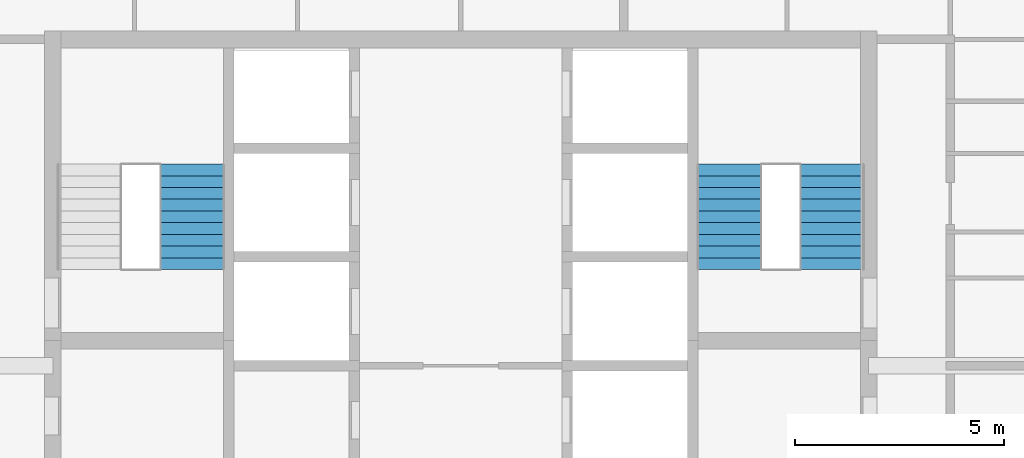
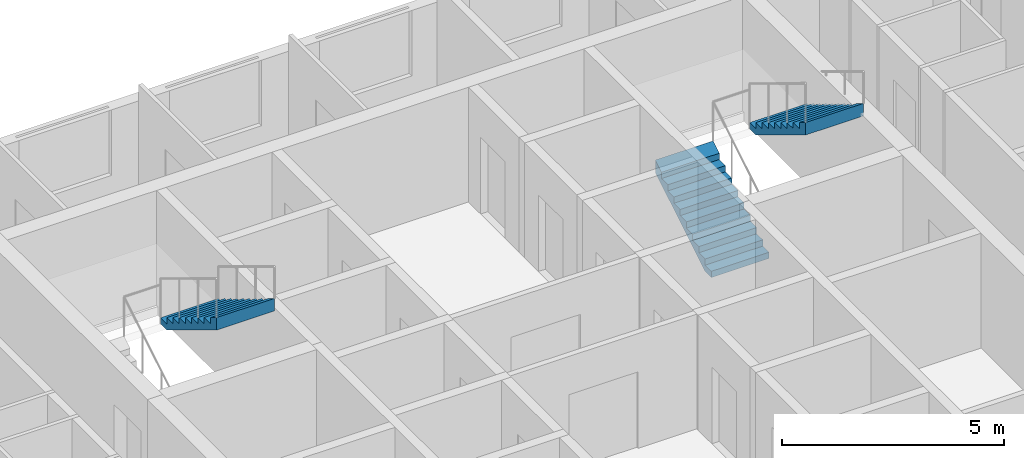
# One storey, part 14 of 16: 3 stair flights, 2 elements without a shape of their own.
"""IFC4 building model written with IfcOpenShell, lengths in metres."""

from ifc_helpers import new_model, si_unit, direction, frame, origin, place, context, subcontext, project, spatial, triangles, material, type_object, element, aggregate, save


model = new_model("IFC4")

# Units and contexts
model_context = context("Model", 3, precision=1e-05, world=origin(), true_north=direction((0.0, 1.0)))
body_context = subcontext(model_context, "Body", "Model", "MODEL_VIEW")
ifc_project = project(units=[si_unit("LENGTHUNIT", "METRE"), si_unit("AREAUNIT", "SQUARE_METRE"), si_unit("VOLUMEUNIT", "CUBIC_METRE"), si_unit("PLANEANGLEUNIT", "RADIAN"), si_unit("MASSUNIT", "GRAM", prefix="KILO")], contexts=[model_context])

# Site, building, storey
site_placement = place(None, origin())
site = spatial("IfcSite", under=ifc_project, at=site_placement, CompositionType="ELEMENT")
building_placement = place(site_placement, origin())
building = spatial("IfcBuilding", under=site, at=building_placement, Name="Ludao Terraces", CompositionType="ELEMENT")
storey_placement = place(building_placement, frame((0.0, 0.0, 217.699951171875)))
storey = spatial("IfcBuildingStorey", under=building, at=storey_placement, Name="L59", CompositionType="ELEMENT", Elevation=217.699951171875)

# Stair, stair flight
ifc_material = material(Name="Concrete C40", Category="concrete")
stair_type = type_object("IfcStairType", Name="INT Stair", PredefinedType="HALF_TURN_STAIR", material=ifc_material)
stair_1_placement = place(storey_placement, origin())
stair_1 = element("IfcStair", 1, at=stair_1_placement, inside=storey, type_object=stair_type, Name="EXIT STAIR 1", PredefinedType="HALF_TURN_STAIR")
stair_flight_type = type_object("IfcStairFlightType", Name="INT Stair flight", PredefinedType="STRAIGHT", material=ifc_material)
stair_flight_1_placement = place(storey_placement, frame((78.574951171875, 81.52001953125, 1.699951171875), z_axis=(0.0, 0.0, 1.0), x_axis=(0.0, -1.0, 0.0)))
stair_flight_1 = element("IfcStairFlight", 2, at=stair_flight_1_placement, type_object=stair_flight_type, Name="ST1 flight 2", NumberOfRisers=10, NumberOfTreads=9, PredefinedType="STRAIGHT", RiserHeight=0.17, TreadLength=0.28, context=body_context, shape_type="Tessellation", body=[
    triangles([(0.0, -0.75, 0.0), (0.0, -0.5, 0.0), (0.0, -0.25, 0.0), (0.0, 0.0, 0.0), (0.0, 0.25, 0.0), (0.0, 0.5, 0.0), (0.0, 0.75, 0.0), (0.0, -0.75, 0.169921875), (0.0, -0.5, 0.169921875), (0.0, -0.25, 0.169921875), (0.0, 0.0, 0.169921875), (0.0, 0.25, 0.169921875), (0.0, 0.5, 0.169921875), (0.0, 0.75, 0.169921875), (0.280029296875, -0.75, 0.169921875), (0.280029296875, -0.5, 0.169921875), (0.280029296875, -0.25, 0.169921875), (0.280029296875, 0.0, 0.169921875), (0.280029296875, 0.25, 0.169921875), (0.280029296875, 0.5, 0.169921875), (0.280029296875, 0.75, 0.169921875), (0.280029296875, -0.75, 0.340087890625), (0.280029296875, -0.5, 0.340087890625), (0.280029296875, -0.25, 0.340087890625), (0.280029296875, 0.0, 0.340087890625), (0.280029296875, 0.25, 0.340087890625), (0.280029296875, 0.5, 0.340087890625), (0.280029296875, 0.75, 0.340087890625), (0.56005859375, -0.75, 0.340087890625), (0.56005859375, -0.5, 0.340087890625), (0.56005859375, -0.25, 0.340087890625), (0.56005859375, 0.0, 0.340087890625), (0.56005859375, 0.25, 0.340087890625), (0.56005859375, 0.5, 0.340087890625), (0.56005859375, 0.75, 0.340087890625), (0.56005859375, -0.75, 0.510009765625), (0.56005859375, -0.5, 0.510009765625), (0.56005859375, -0.25, 0.510009765625), (0.56005859375, 0.0, 0.510009765625), (0.56005859375, 0.25, 0.510009765625), (0.56005859375, 0.5, 0.510009765625), (0.56005859375, 0.75, 0.510009765625), (0.840087890625, -0.75, 0.510009765625), (0.840087890625, -0.5, 0.510009765625), (0.840087890625, -0.25, 0.510009765625), (0.840087890625, 0.0, 0.510009765625), (0.840087890625, 0.25, 0.510009765625), (0.840087890625, 0.5, 0.510009765625), (0.840087890625, 0.75, 0.510009765625), (0.840087890625, -0.75, 0.679931640625), (0.840087890625, -0.5, 0.679931640625), (0.840087890625, -0.25, 0.679931640625), (0.840087890625, 0.0, 0.679931640625), (0.840087890625, 0.25, 0.679931640625), (0.840087890625, 0.5, 0.679931640625), (0.840087890625, 0.75, 0.679931640625), (1.1201171875, -0.75, 0.679931640625), (1.1201171875, -0.5, 0.679931640625), (1.1201171875, -0.25, 0.679931640625), (1.1201171875, 0.0, 0.679931640625), (1.1201171875, 0.25, 0.679931640625), (1.1201171875, 0.5, 0.679931640625), (1.1201171875, 0.75, 0.679931640625), (1.1201171875, -0.75, 0.85009765625), (1.1201171875, -0.5, 0.85009765625), (1.1201171875, -0.25, 0.85009765625), (1.1201171875, 0.0, 0.85009765625), (1.1201171875, 0.25, 0.85009765625), (1.1201171875, 0.5, 0.85009765625), (1.1201171875, 0.75, 0.85009765625), (1.39990234375, -0.75, 0.85009765625), (1.39990234375, -0.5, 0.85009765625), (1.39990234375, -0.25, 0.85009765625), (1.39990234375, 0.0, 0.85009765625), (1.39990234375, 0.25, 0.85009765625), (1.39990234375, 0.5, 0.85009765625), (1.39990234375, 0.75, 0.85009765625), (1.39990234375, -0.75, 1.02001953125), (1.39990234375, -0.5, 1.02001953125), (1.39990234375, -0.25, 1.02001953125), (1.39990234375, 0.0, 1.02001953125), (1.39990234375, 0.25, 1.02001953125), (1.39990234375, 0.5, 1.02001953125), (1.39990234375, 0.75, 1.02001953125), (1.679931640625, -0.75, 1.02001953125), (1.679931640625, -0.5, 1.02001953125), (1.679931640625, -0.25, 1.02001953125), (1.679931640625, 0.0, 1.02001953125), (1.679931640625, 0.25, 1.02001953125), (1.679931640625, 0.5, 1.02001953125), (1.679931640625, 0.75, 1.02001953125), (1.679931640625, -0.75, 1.18994140625), (1.679931640625, -0.5, 1.18994140625), (1.679931640625, -0.25, 1.18994140625), (1.679931640625, 0.0, 1.18994140625), (1.679931640625, 0.25, 1.18994140625), (1.679931640625, 0.5, 1.18994140625), (1.679931640625, 0.75, 1.18994140625), (1.9599609375, -0.75, 1.18994140625), (1.9599609375, -0.5, 1.18994140625), (1.9599609375, -0.25, 1.18994140625), (1.9599609375, 0.0, 1.18994140625), (1.9599609375, 0.25, 1.18994140625), (1.9599609375, 0.5, 1.18994140625), (1.9599609375, 0.75, 1.18994140625), (1.9599609375, -0.75, 1.360107421875), (1.9599609375, -0.5, 1.360107421875), (1.9599609375, -0.25, 1.360107421875), (1.9599609375, 0.0, 1.360107421875), (1.9599609375, 0.25, 1.360107421875), (1.9599609375, 0.5, 1.360107421875), (1.9599609375, 0.75, 1.360107421875), (2.239990234375, -0.75, 1.360107421875), (2.239990234375, -0.5, 1.360107421875), (2.239990234375, -0.25, 1.360107421875), (2.239990234375, 0.0, 1.360107421875), (2.239990234375, 0.25, 1.360107421875), (2.239990234375, 0.5, 1.360107421875), (2.239990234375, 0.75, 1.360107421875), (2.239990234375, -0.75, 1.530029296875), (2.239990234375, -0.5, 1.530029296875), (2.239990234375, -0.25, 1.530029296875), (2.239990234375, 0.0, 1.530029296875), (2.239990234375, 0.25, 1.530029296875), (2.239990234375, 0.5, 1.530029296875), (2.239990234375, 0.75, 1.530029296875), (2.52001953125, -0.75, 1.699951171875), (2.52001953125, -0.5, 1.699951171875), (2.52001953125, -0.25, 1.699951171875), (2.52001953125, 0.0, 1.699951171875), (2.52001953125, 0.25, 1.699951171875), (2.52001953125, 0.5, 1.699951171875), (2.52001953125, 0.75, 1.699951171875), (2.52001953125, -0.75, 1.354736328125), (2.52001953125, -0.5, 1.354736328125), (2.52001953125, -0.25, 1.354736328125), (2.52001953125, 0.0, 1.354736328125), (2.52001953125, 0.25, 1.354736328125), (2.52001953125, 0.5, 1.354736328125), (2.52001953125, 0.75, 1.354736328125), (0.288818359375, -0.75, 0.0), (0.288818359375, -0.5, 0.0), (0.288818359375, -0.25, 0.0), (0.288818359375, 0.0, 0.0), (0.288818359375, 0.25, 0.0), (0.288818359375, 0.5, 0.0), (0.288818359375, 0.75, 0.0)], [[1, 141, 134], [7, 140, 147], [134, 127, 120], [140, 126, 133], [134, 120, 113], [140, 119, 126], [134, 113, 106], [140, 112, 119], [134, 106, 99], [140, 105, 112], [99, 92, 85], [105, 91, 98], [134, 99, 85], [140, 91, 105], [85, 78, 71], [91, 77, 84], [134, 85, 71], [140, 77, 91], [71, 64, 57], [77, 63, 70], [134, 71, 57], [140, 63, 77], [57, 50, 43], [63, 49, 56], [134, 57, 43], [140, 49, 63], [43, 36, 29], [49, 35, 42], [134, 43, 29], [140, 35, 49], [29, 22, 15], [35, 21, 28], [134, 29, 15], [140, 21, 35], [1, 134, 15], [7, 21, 140], [15, 8, 1], [21, 7, 14], [1, 9, 2], [1, 8, 9], [2, 10, 3], [2, 9, 10], [3, 11, 4], [3, 10, 11], [4, 12, 5], [4, 11, 12], [5, 13, 6], [5, 12, 13], [6, 14, 7], [6, 13, 14], [8, 16, 9], [8, 15, 16], [9, 17, 10], [9, 16, 17], [10, 18, 11], [10, 17, 18], [11, 19, 12], [11, 18, 19], [12, 20, 13], [12, 19, 20], [13, 21, 14], [13, 20, 21], [15, 23, 16], [15, 22, 23], [16, 24, 17], [16, 23, 24], [17, 25, 18], [17, 24, 25], [18, 26, 19], [18, 25, 26], [19, 27, 20], [19, 26, 27], [20, 28, 21], [20, 27, 28], [22, 30, 23], [22, 29, 30], [23, 31, 24], [23, 30, 31], [24, 32, 25], [24, 31, 32], [25, 33, 26], [25, 32, 33], [26, 34, 27], [26, 33, 34], [27, 35, 28], [27, 34, 35], [29, 37, 30], [29, 36, 37], [30, 38, 31], [30, 37, 38], [31, 39, 32], [31, 38, 39], [32, 40, 33], [32, 39, 40], [33, 41, 34], [33, 40, 41], [34, 42, 35], [34, 41, 42], [36, 44, 37], [36, 43, 44], [37, 45, 38], [37, 44, 45], [38, 46, 39], [38, 45, 46], [39, 47, 40], [39, 46, 47], [40, 48, 41], [40, 47, 48], [41, 49, 42], [41, 48, 49], [43, 51, 44], [43, 50, 51], [44, 52, 45], [44, 51, 52], [45, 53, 46], [45, 52, 53], [46, 54, 47], [46, 53, 54], [47, 55, 48], [47, 54, 55], [48, 56, 49], [48, 55, 56], [50, 58, 51], [50, 57, 58], [51, 59, 52], [51, 58, 59], [52, 60, 53], [52, 59, 60], [53, 61, 54], [53, 60, 61], [54, 62, 55], [54, 61, 62], [55, 63, 56], [55, 62, 63], [57, 65, 58], [57, 64, 65], [58, 66, 59], [58, 65, 66], [59, 67, 60], [59, 66, 67], [60, 68, 61], [60, 67, 68], [61, 69, 62], [61, 68, 69], [62, 70, 63], [62, 69, 70], [64, 72, 65], [64, 71, 72], [65, 73, 66], [65, 72, 73], [66, 74, 67], [66, 73, 74], [67, 75, 68], [67, 74, 75], [68, 76, 69], [68, 75, 76], [69, 77, 70], [69, 76, 77], [71, 79, 72], [71, 78, 79], [72, 80, 73], [72, 79, 80], [73, 81, 74], [73, 80, 81], [74, 82, 75], [74, 81, 82], [75, 83, 76], [75, 82, 83], [76, 84, 77], [76, 83, 84], [78, 86, 79], [78, 85, 86], [79, 87, 80], [79, 86, 87], [80, 88, 81], [80, 87, 88], [81, 89, 82], [81, 88, 89], [82, 90, 83], [82, 89, 90], [83, 91, 84], [83, 90, 91], [85, 93, 86], [85, 92, 93], [86, 94, 87], [86, 93, 94], [87, 95, 88], [87, 94, 95], [88, 96, 89], [88, 95, 96], [89, 97, 90], [89, 96, 97], [90, 98, 91], [90, 97, 98], [92, 100, 93], [92, 99, 100], [93, 101, 94], [93, 100, 101], [94, 102, 95], [94, 101, 102], [95, 103, 96], [95, 102, 103], [96, 104, 97], [96, 103, 104], [97, 105, 98], [97, 104, 105], [99, 107, 100], [99, 106, 107], [100, 108, 101], [100, 107, 108], [101, 109, 102], [101, 108, 109], [102, 110, 103], [102, 109, 110], [103, 111, 104], [103, 110, 111], [104, 112, 105], [104, 111, 112], [106, 114, 107], [106, 113, 114], [107, 115, 108], [107, 114, 115], [108, 116, 109], [108, 115, 116], [109, 117, 110], [109, 116, 117], [110, 118, 111], [110, 117, 118], [111, 119, 112], [111, 118, 119], [113, 121, 114], [113, 120, 121], [114, 122, 115], [114, 121, 122], [115, 123, 116], [115, 122, 123], [116, 124, 117], [116, 123, 124], [117, 125, 118], [117, 124, 125], [118, 126, 119], [118, 125, 126], [120, 128, 121], [120, 127, 128], [121, 129, 122], [121, 128, 129], [122, 130, 123], [122, 129, 130], [123, 131, 124], [123, 130, 131], [124, 132, 125], [124, 131, 132], [125, 133, 126], [125, 132, 133], [127, 135, 128], [127, 134, 135], [128, 136, 129], [128, 135, 136], [129, 137, 130], [129, 136, 137], [130, 138, 131], [130, 137, 138], [131, 139, 132], [131, 138, 139], [132, 140, 133], [132, 139, 140], [134, 142, 135], [134, 141, 142], [135, 143, 136], [135, 142, 143], [136, 144, 137], [136, 143, 144], [137, 145, 138], [137, 144, 145], [138, 146, 139], [138, 145, 146], [139, 147, 140], [139, 146, 147], [141, 2, 142], [141, 1, 2], [142, 3, 143], [142, 2, 3], [143, 4, 144], [143, 3, 4], [144, 5, 145], [144, 4, 5], [145, 6, 146], [145, 5, 6], [146, 7, 147], [146, 6, 7]], closed=True),
])
aggregate(stair_1, [stair_flight_1])

# Stair, stair flights
stair_2_placement = place(storey_placement, origin())
stair_2 = element("IfcStair", 3, at=stair_2_placement, inside=storey, type_object=stair_type, Name="EXIT STAIR 2", PredefinedType="HALF_TURN_STAIR")
stair_flight_2_placement = place(storey_placement, frame((91.425048828125, 79.0, 0.0), z_axis=(0.0, 0.0, 1.0), x_axis=(0.0, 1.0, 0.0)))
stair_flight_2 = element("IfcStairFlight", 4, at=stair_flight_2_placement, type_object=stair_flight_type, Name="ST2 flight 1", NumberOfRisers=10, NumberOfTreads=9, PredefinedType="STRAIGHT", RiserHeight=0.17, TreadLength=0.28, context=body_context, shape_type="Tessellation", body=[
    triangles([(0.0, -0.75, 0.0), (0.0, -0.5, 0.0), (0.0, -0.25, 0.0), (0.0, 0.0, 0.0), (0.0, 0.25, 0.0), (0.0, 0.5, 0.0), (0.0, 0.75, 0.0), (0.0, -0.75, 0.169921875), (0.0, -0.5, 0.169921875), (0.0, -0.25, 0.169921875), (0.0, 0.0, 0.169921875), (0.0, 0.25, 0.169921875), (0.0, 0.5, 0.169921875), (0.0, 0.75, 0.169921875), (0.280029296875, -0.75, 0.169921875), (0.280029296875, -0.5, 0.169921875), (0.280029296875, -0.25, 0.169921875), (0.280029296875, 0.0, 0.169921875), (0.280029296875, 0.25, 0.169921875), (0.280029296875, 0.5, 0.169921875), (0.280029296875, 0.75, 0.169921875), (0.280029296875, -0.75, 0.340087890625), (0.280029296875, -0.5, 0.340087890625), (0.280029296875, -0.25, 0.340087890625), (0.280029296875, 0.0, 0.340087890625), (0.280029296875, 0.25, 0.340087890625), (0.280029296875, 0.5, 0.340087890625), (0.280029296875, 0.75, 0.340087890625), (0.56005859375, -0.75, 0.340087890625), (0.56005859375, -0.5, 0.340087890625), (0.56005859375, -0.25, 0.340087890625), (0.56005859375, 0.0, 0.340087890625), (0.56005859375, 0.25, 0.340087890625), (0.56005859375, 0.5, 0.340087890625), (0.56005859375, 0.75, 0.340087890625), (0.56005859375, -0.75, 0.510009765625), (0.56005859375, -0.5, 0.510009765625), (0.56005859375, -0.25, 0.510009765625), (0.56005859375, 0.0, 0.510009765625), (0.56005859375, 0.25, 0.510009765625), (0.56005859375, 0.5, 0.510009765625), (0.56005859375, 0.75, 0.510009765625), (0.840087890625, -0.75, 0.510009765625), (0.840087890625, -0.5, 0.510009765625), (0.840087890625, -0.25, 0.510009765625), (0.840087890625, 0.0, 0.510009765625), (0.840087890625, 0.25, 0.510009765625), (0.840087890625, 0.5, 0.510009765625), (0.840087890625, 0.75, 0.510009765625), (0.840087890625, -0.75, 0.679931640625), (0.840087890625, -0.5, 0.679931640625), (0.840087890625, -0.25, 0.679931640625), (0.840087890625, 0.0, 0.679931640625), (0.840087890625, 0.25, 0.679931640625), (0.840087890625, 0.5, 0.679931640625), (0.840087890625, 0.75, 0.679931640625), (1.1201171875, -0.75, 0.679931640625), (1.1201171875, -0.5, 0.679931640625), (1.1201171875, -0.25, 0.679931640625), (1.1201171875, 0.0, 0.679931640625), (1.1201171875, 0.25, 0.679931640625), (1.1201171875, 0.5, 0.679931640625), (1.1201171875, 0.75, 0.679931640625), (1.1201171875, -0.75, 0.85009765625), (1.1201171875, -0.5, 0.85009765625), (1.1201171875, -0.25, 0.85009765625), (1.1201171875, 0.0, 0.85009765625), (1.1201171875, 0.25, 0.85009765625), (1.1201171875, 0.5, 0.85009765625), (1.1201171875, 0.75, 0.85009765625), (1.39990234375, -0.75, 0.85009765625), (1.39990234375, -0.5, 0.85009765625), (1.39990234375, -0.25, 0.85009765625), (1.39990234375, 0.0, 0.85009765625), (1.39990234375, 0.25, 0.85009765625), (1.39990234375, 0.5, 0.85009765625), (1.39990234375, 0.75, 0.85009765625), (1.39990234375, -0.75, 1.02001953125), (1.39990234375, -0.5, 1.02001953125), (1.39990234375, -0.25, 1.02001953125), (1.39990234375, 0.0, 1.02001953125), (1.39990234375, 0.25, 1.02001953125), (1.39990234375, 0.5, 1.02001953125), (1.39990234375, 0.75, 1.02001953125), (1.679931640625, -0.75, 1.02001953125), (1.679931640625, -0.5, 1.02001953125), (1.679931640625, -0.25, 1.02001953125), (1.679931640625, 0.0, 1.02001953125), (1.679931640625, 0.25, 1.02001953125), (1.679931640625, 0.5, 1.02001953125), (1.679931640625, 0.75, 1.02001953125), (1.679931640625, -0.75, 1.18994140625), (1.679931640625, -0.5, 1.18994140625), (1.679931640625, -0.25, 1.18994140625), (1.679931640625, 0.0, 1.18994140625), (1.679931640625, 0.25, 1.18994140625), (1.679931640625, 0.5, 1.18994140625), (1.679931640625, 0.75, 1.18994140625), (1.9599609375, -0.75, 1.18994140625), (1.9599609375, -0.5, 1.18994140625), (1.9599609375, -0.25, 1.18994140625), (1.9599609375, 0.0, 1.18994140625), (1.9599609375, 0.25, 1.18994140625), (1.9599609375, 0.5, 1.18994140625), (1.9599609375, 0.75, 1.18994140625), (1.9599609375, -0.75, 1.360107421875), (1.9599609375, -0.5, 1.360107421875), (1.9599609375, -0.25, 1.360107421875), (1.9599609375, 0.0, 1.360107421875), (1.9599609375, 0.25, 1.360107421875), (1.9599609375, 0.5, 1.360107421875), (1.9599609375, 0.75, 1.360107421875), (2.239990234375, -0.75, 1.360107421875), (2.239990234375, -0.5, 1.360107421875), (2.239990234375, -0.25, 1.360107421875), (2.239990234375, 0.0, 1.360107421875), (2.239990234375, 0.25, 1.360107421875), (2.239990234375, 0.5, 1.360107421875), (2.239990234375, 0.75, 1.360107421875), (2.239990234375, -0.75, 1.530029296875), (2.239990234375, -0.5, 1.530029296875), (2.239990234375, -0.25, 1.530029296875), (2.239990234375, 0.0, 1.530029296875), (2.239990234375, 0.25, 1.530029296875), (2.239990234375, 0.5, 1.530029296875), (2.239990234375, 0.75, 1.530029296875), (2.52001953125, -0.75, 1.699951171875), (2.52001953125, -0.5, 1.699951171875), (2.52001953125, -0.25, 1.699951171875), (2.52001953125, 0.0, 1.699951171875), (2.52001953125, 0.25, 1.699951171875), (2.52001953125, 0.5, 1.699951171875), (2.52001953125, 0.75, 1.699951171875), (2.52001953125, -0.75, 1.354736328125), (2.52001953125, -0.5, 1.354736328125), (2.52001953125, -0.25, 1.354736328125), (2.52001953125, 0.0, 1.354736328125), (2.52001953125, 0.25, 1.354736328125), (2.52001953125, 0.5, 1.354736328125), (2.52001953125, 0.75, 1.354736328125), (0.288818359375, -0.75, 0.0), (0.288818359375, -0.5, 0.0), (0.288818359375, -0.25, 0.0), (0.288818359375, 0.0, 0.0), (0.288818359375, 0.25, 0.0), (0.288818359375, 0.5, 0.0), (0.288818359375, 0.75, 0.0)], [[1, 141, 134], [7, 140, 147], [134, 127, 120], [140, 126, 133], [134, 120, 113], [140, 119, 126], [134, 113, 106], [140, 112, 119], [134, 106, 99], [140, 105, 112], [99, 92, 85], [105, 91, 98], [134, 99, 85], [140, 91, 105], [85, 78, 71], [91, 77, 84], [134, 85, 71], [140, 77, 91], [71, 64, 57], [77, 63, 70], [134, 71, 57], [140, 63, 77], [57, 50, 43], [63, 49, 56], [134, 57, 43], [140, 49, 63], [43, 36, 29], [49, 35, 42], [134, 43, 29], [140, 35, 49], [29, 22, 15], [35, 21, 28], [134, 29, 15], [140, 21, 35], [1, 134, 15], [7, 21, 140], [15, 8, 1], [21, 7, 14], [1, 9, 2], [1, 8, 9], [2, 10, 3], [2, 9, 10], [3, 11, 4], [3, 10, 11], [4, 12, 5], [4, 11, 12], [5, 13, 6], [5, 12, 13], [6, 14, 7], [6, 13, 14], [8, 16, 9], [8, 15, 16], [9, 17, 10], [9, 16, 17], [10, 18, 11], [10, 17, 18], [11, 19, 12], [11, 18, 19], [12, 20, 13], [12, 19, 20], [13, 21, 14], [13, 20, 21], [15, 23, 16], [15, 22, 23], [16, 24, 17], [16, 23, 24], [17, 25, 18], [17, 24, 25], [18, 26, 19], [18, 25, 26], [19, 27, 20], [19, 26, 27], [20, 28, 21], [20, 27, 28], [22, 30, 23], [22, 29, 30], [23, 31, 24], [23, 30, 31], [24, 32, 25], [24, 31, 32], [25, 33, 26], [25, 32, 33], [26, 34, 27], [26, 33, 34], [27, 35, 28], [27, 34, 35], [29, 37, 30], [29, 36, 37], [30, 38, 31], [30, 37, 38], [31, 39, 32], [31, 38, 39], [32, 40, 33], [32, 39, 40], [33, 41, 34], [33, 40, 41], [34, 42, 35], [34, 41, 42], [36, 44, 37], [36, 43, 44], [37, 45, 38], [37, 44, 45], [38, 46, 39], [38, 45, 46], [39, 47, 40], [39, 46, 47], [40, 48, 41], [40, 47, 48], [41, 49, 42], [41, 48, 49], [43, 51, 44], [43, 50, 51], [44, 52, 45], [44, 51, 52], [45, 53, 46], [45, 52, 53], [46, 54, 47], [46, 53, 54], [47, 55, 48], [47, 54, 55], [48, 56, 49], [48, 55, 56], [50, 58, 51], [50, 57, 58], [51, 59, 52], [51, 58, 59], [52, 60, 53], [52, 59, 60], [53, 61, 54], [53, 60, 61], [54, 62, 55], [54, 61, 62], [55, 63, 56], [55, 62, 63], [57, 65, 58], [57, 64, 65], [58, 66, 59], [58, 65, 66], [59, 67, 60], [59, 66, 67], [60, 68, 61], [60, 67, 68], [61, 69, 62], [61, 68, 69], [62, 70, 63], [62, 69, 70], [64, 72, 65], [64, 71, 72], [65, 73, 66], [65, 72, 73], [66, 74, 67], [66, 73, 74], [67, 75, 68], [67, 74, 75], [68, 76, 69], [68, 75, 76], [69, 77, 70], [69, 76, 77], [71, 79, 72], [71, 78, 79], [72, 80, 73], [72, 79, 80], [73, 81, 74], [73, 80, 81], [74, 82, 75], [74, 81, 82], [75, 83, 76], [75, 82, 83], [76, 84, 77], [76, 83, 84], [78, 86, 79], [78, 85, 86], [79, 87, 80], [79, 86, 87], [80, 88, 81], [80, 87, 88], [81, 89, 82], [81, 88, 89], [82, 90, 83], [82, 89, 90], [83, 91, 84], [83, 90, 91], [85, 93, 86], [85, 92, 93], [86, 94, 87], [86, 93, 94], [87, 95, 88], [87, 94, 95], [88, 96, 89], [88, 95, 96], [89, 97, 90], [89, 96, 97], [90, 98, 91], [90, 97, 98], [92, 100, 93], [92, 99, 100], [93, 101, 94], [93, 100, 101], [94, 102, 95], [94, 101, 102], [95, 103, 96], [95, 102, 103], [96, 104, 97], [96, 103, 104], [97, 105, 98], [97, 104, 105], [99, 107, 100], [99, 106, 107], [100, 108, 101], [100, 107, 108], [101, 109, 102], [101, 108, 109], [102, 110, 103], [102, 109, 110], [103, 111, 104], [103, 110, 111], [104, 112, 105], [104, 111, 112], [106, 114, 107], [106, 113, 114], [107, 115, 108], [107, 114, 115], [108, 116, 109], [108, 115, 116], [109, 117, 110], [109, 116, 117], [110, 118, 111], [110, 117, 118], [111, 119, 112], [111, 118, 119], [113, 121, 114], [113, 120, 121], [114, 122, 115], [114, 121, 122], [115, 123, 116], [115, 122, 123], [116, 124, 117], [116, 123, 124], [117, 125, 118], [117, 124, 125], [118, 126, 119], [118, 125, 126], [120, 128, 121], [120, 127, 128], [121, 129, 122], [121, 128, 129], [122, 130, 123], [122, 129, 130], [123, 131, 124], [123, 130, 131], [124, 132, 125], [124, 131, 132], [125, 133, 126], [125, 132, 133], [127, 135, 128], [127, 134, 135], [128, 136, 129], [128, 135, 136], [129, 137, 130], [129, 136, 137], [130, 138, 131], [130, 137, 138], [131, 139, 132], [131, 138, 139], [132, 140, 133], [132, 139, 140], [134, 142, 135], [134, 141, 142], [135, 143, 136], [135, 142, 143], [136, 144, 137], [136, 143, 144], [137, 145, 138], [137, 144, 145], [138, 146, 139], [138, 145, 146], [139, 147, 140], [139, 146, 147], [141, 2, 142], [141, 1, 2], [142, 3, 143], [142, 2, 3], [143, 4, 144], [143, 3, 4], [144, 5, 145], [144, 4, 5], [145, 6, 146], [145, 5, 6], [146, 7, 147], [146, 6, 7]], closed=True),
])
stair_flight_3_placement = place(storey_placement, frame((93.875, 81.52001953125, 1.699951171875), z_axis=(0.0, 0.0, 1.0), x_axis=(0.0, -1.0, 0.0)))
stair_flight_3 = element("IfcStairFlight", 5, at=stair_flight_3_placement, type_object=stair_flight_type, Name="ST2 flight 2", NumberOfRisers=10, NumberOfTreads=9, PredefinedType="STRAIGHT", RiserHeight=0.17, TreadLength=0.28, context=body_context, shape_type="Tessellation", body=[
    triangles([(0.0, -0.75, 0.0), (0.0, -0.5, 0.0), (0.0, -0.25, 0.0), (0.0, 0.0, 0.0), (0.0, 0.25, 0.0), (0.0, 0.5, 0.0), (0.0, 0.75, 0.0), (0.0, -0.75, 0.169921875), (0.0, -0.5, 0.169921875), (0.0, -0.25, 0.169921875), (0.0, 0.0, 0.169921875), (0.0, 0.25, 0.169921875), (0.0, 0.5, 0.169921875), (0.0, 0.75, 0.169921875), (0.280029296875, -0.75, 0.169921875), (0.280029296875, -0.5, 0.169921875), (0.280029296875, -0.25, 0.169921875), (0.280029296875, 0.0, 0.169921875), (0.280029296875, 0.25, 0.169921875), (0.280029296875, 0.5, 0.169921875), (0.280029296875, 0.75, 0.169921875), (0.280029296875, -0.75, 0.340087890625), (0.280029296875, -0.5, 0.340087890625), (0.280029296875, -0.25, 0.340087890625), (0.280029296875, 0.0, 0.340087890625), (0.280029296875, 0.25, 0.340087890625), (0.280029296875, 0.5, 0.340087890625), (0.280029296875, 0.75, 0.340087890625), (0.56005859375, -0.75, 0.340087890625), (0.56005859375, -0.5, 0.340087890625), (0.56005859375, -0.25, 0.340087890625), (0.56005859375, 0.0, 0.340087890625), (0.56005859375, 0.25, 0.340087890625), (0.56005859375, 0.5, 0.340087890625), (0.56005859375, 0.75, 0.340087890625), (0.56005859375, -0.75, 0.510009765625), (0.56005859375, -0.5, 0.510009765625), (0.56005859375, -0.25, 0.510009765625), (0.56005859375, 0.0, 0.510009765625), (0.56005859375, 0.25, 0.510009765625), (0.56005859375, 0.5, 0.510009765625), (0.56005859375, 0.75, 0.510009765625), (0.840087890625, -0.75, 0.510009765625), (0.840087890625, -0.5, 0.510009765625), (0.840087890625, -0.25, 0.510009765625), (0.840087890625, 0.0, 0.510009765625), (0.840087890625, 0.25, 0.510009765625), (0.840087890625, 0.5, 0.510009765625), (0.840087890625, 0.75, 0.510009765625), (0.840087890625, -0.75, 0.679931640625), (0.840087890625, -0.5, 0.679931640625), (0.840087890625, -0.25, 0.679931640625), (0.840087890625, 0.0, 0.679931640625), (0.840087890625, 0.25, 0.679931640625), (0.840087890625, 0.5, 0.679931640625), (0.840087890625, 0.75, 0.679931640625), (1.1201171875, -0.75, 0.679931640625), (1.1201171875, -0.5, 0.679931640625), (1.1201171875, -0.25, 0.679931640625), (1.1201171875, 0.0, 0.679931640625), (1.1201171875, 0.25, 0.679931640625), (1.1201171875, 0.5, 0.679931640625), (1.1201171875, 0.75, 0.679931640625), (1.1201171875, -0.75, 0.85009765625), (1.1201171875, -0.5, 0.85009765625), (1.1201171875, -0.25, 0.85009765625), (1.1201171875, 0.0, 0.85009765625), (1.1201171875, 0.25, 0.85009765625), (1.1201171875, 0.5, 0.85009765625), (1.1201171875, 0.75, 0.85009765625), (1.39990234375, -0.75, 0.85009765625), (1.39990234375, -0.5, 0.85009765625), (1.39990234375, -0.25, 0.85009765625), (1.39990234375, 0.0, 0.85009765625), (1.39990234375, 0.25, 0.85009765625), (1.39990234375, 0.5, 0.85009765625), (1.39990234375, 0.75, 0.85009765625), (1.39990234375, -0.75, 1.02001953125), (1.39990234375, -0.5, 1.02001953125), (1.39990234375, -0.25, 1.02001953125), (1.39990234375, 0.0, 1.02001953125), (1.39990234375, 0.25, 1.02001953125), (1.39990234375, 0.5, 1.02001953125), (1.39990234375, 0.75, 1.02001953125), (1.679931640625, -0.75, 1.02001953125), (1.679931640625, -0.5, 1.02001953125), (1.679931640625, -0.25, 1.02001953125), (1.679931640625, 0.0, 1.02001953125), (1.679931640625, 0.25, 1.02001953125), (1.679931640625, 0.5, 1.02001953125), (1.679931640625, 0.75, 1.02001953125), (1.679931640625, -0.75, 1.18994140625), (1.679931640625, -0.5, 1.18994140625), (1.679931640625, -0.25, 1.18994140625), (1.679931640625, 0.0, 1.18994140625), (1.679931640625, 0.25, 1.18994140625), (1.679931640625, 0.5, 1.18994140625), (1.679931640625, 0.75, 1.18994140625), (1.9599609375, -0.75, 1.18994140625), (1.9599609375, -0.5, 1.18994140625), (1.9599609375, -0.25, 1.18994140625), (1.9599609375, 0.0, 1.18994140625), (1.9599609375, 0.25, 1.18994140625), (1.9599609375, 0.5, 1.18994140625), (1.9599609375, 0.75, 1.18994140625), (1.9599609375, -0.75, 1.360107421875), (1.9599609375, -0.5, 1.360107421875), (1.9599609375, -0.25, 1.360107421875), (1.9599609375, 0.0, 1.360107421875), (1.9599609375, 0.25, 1.360107421875), (1.9599609375, 0.5, 1.360107421875), (1.9599609375, 0.75, 1.360107421875), (2.239990234375, -0.75, 1.360107421875), (2.239990234375, -0.5, 1.360107421875), (2.239990234375, -0.25, 1.360107421875), (2.239990234375, 0.0, 1.360107421875), (2.239990234375, 0.25, 1.360107421875), (2.239990234375, 0.5, 1.360107421875), (2.239990234375, 0.75, 1.360107421875), (2.239990234375, -0.75, 1.530029296875), (2.239990234375, -0.5, 1.530029296875), (2.239990234375, -0.25, 1.530029296875), (2.239990234375, 0.0, 1.530029296875), (2.239990234375, 0.25, 1.530029296875), (2.239990234375, 0.5, 1.530029296875), (2.239990234375, 0.75, 1.530029296875), (2.52001953125, -0.75, 1.699951171875), (2.52001953125, -0.5, 1.699951171875), (2.52001953125, -0.25, 1.699951171875), (2.52001953125, 0.0, 1.699951171875), (2.52001953125, 0.25, 1.699951171875), (2.52001953125, 0.5, 1.699951171875), (2.52001953125, 0.75, 1.699951171875), (2.52001953125, -0.75, 1.354736328125), (2.52001953125, -0.5, 1.354736328125), (2.52001953125, -0.25, 1.354736328125), (2.52001953125, 0.0, 1.354736328125), (2.52001953125, 0.25, 1.354736328125), (2.52001953125, 0.5, 1.354736328125), (2.52001953125, 0.75, 1.354736328125), (0.288818359375, -0.75, 0.0), (0.288818359375, -0.5, 0.0), (0.288818359375, -0.25, 0.0), (0.288818359375, 0.0, 0.0), (0.288818359375, 0.25, 0.0), (0.288818359375, 0.5, 0.0), (0.288818359375, 0.75, 0.0)], [[1, 141, 134], [7, 140, 147], [134, 127, 120], [140, 126, 133], [134, 120, 113], [140, 119, 126], [134, 113, 106], [140, 112, 119], [134, 106, 99], [140, 105, 112], [99, 92, 85], [105, 91, 98], [134, 99, 85], [140, 91, 105], [85, 78, 71], [91, 77, 84], [134, 85, 71], [140, 77, 91], [71, 64, 57], [77, 63, 70], [134, 71, 57], [140, 63, 77], [57, 50, 43], [63, 49, 56], [134, 57, 43], [140, 49, 63], [43, 36, 29], [49, 35, 42], [134, 43, 29], [140, 35, 49], [29, 22, 15], [35, 21, 28], [134, 29, 15], [140, 21, 35], [1, 134, 15], [7, 21, 140], [15, 8, 1], [21, 7, 14], [1, 9, 2], [1, 8, 9], [2, 10, 3], [2, 9, 10], [3, 11, 4], [3, 10, 11], [4, 12, 5], [4, 11, 12], [5, 13, 6], [5, 12, 13], [6, 14, 7], [6, 13, 14], [8, 16, 9], [8, 15, 16], [9, 17, 10], [9, 16, 17], [10, 18, 11], [10, 17, 18], [11, 19, 12], [11, 18, 19], [12, 20, 13], [12, 19, 20], [13, 21, 14], [13, 20, 21], [15, 23, 16], [15, 22, 23], [16, 24, 17], [16, 23, 24], [17, 25, 18], [17, 24, 25], [18, 26, 19], [18, 25, 26], [19, 27, 20], [19, 26, 27], [20, 28, 21], [20, 27, 28], [22, 30, 23], [22, 29, 30], [23, 31, 24], [23, 30, 31], [24, 32, 25], [24, 31, 32], [25, 33, 26], [25, 32, 33], [26, 34, 27], [26, 33, 34], [27, 35, 28], [27, 34, 35], [29, 37, 30], [29, 36, 37], [30, 38, 31], [30, 37, 38], [31, 39, 32], [31, 38, 39], [32, 40, 33], [32, 39, 40], [33, 41, 34], [33, 40, 41], [34, 42, 35], [34, 41, 42], [36, 44, 37], [36, 43, 44], [37, 45, 38], [37, 44, 45], [38, 46, 39], [38, 45, 46], [39, 47, 40], [39, 46, 47], [40, 48, 41], [40, 47, 48], [41, 49, 42], [41, 48, 49], [43, 51, 44], [43, 50, 51], [44, 52, 45], [44, 51, 52], [45, 53, 46], [45, 52, 53], [46, 54, 47], [46, 53, 54], [47, 55, 48], [47, 54, 55], [48, 56, 49], [48, 55, 56], [50, 58, 51], [50, 57, 58], [51, 59, 52], [51, 58, 59], [52, 60, 53], [52, 59, 60], [53, 61, 54], [53, 60, 61], [54, 62, 55], [54, 61, 62], [55, 63, 56], [55, 62, 63], [57, 65, 58], [57, 64, 65], [58, 66, 59], [58, 65, 66], [59, 67, 60], [59, 66, 67], [60, 68, 61], [60, 67, 68], [61, 69, 62], [61, 68, 69], [62, 70, 63], [62, 69, 70], [64, 72, 65], [64, 71, 72], [65, 73, 66], [65, 72, 73], [66, 74, 67], [66, 73, 74], [67, 75, 68], [67, 74, 75], [68, 76, 69], [68, 75, 76], [69, 77, 70], [69, 76, 77], [71, 79, 72], [71, 78, 79], [72, 80, 73], [72, 79, 80], [73, 81, 74], [73, 80, 81], [74, 82, 75], [74, 81, 82], [75, 83, 76], [75, 82, 83], [76, 84, 77], [76, 83, 84], [78, 86, 79], [78, 85, 86], [79, 87, 80], [79, 86, 87], [80, 88, 81], [80, 87, 88], [81, 89, 82], [81, 88, 89], [82, 90, 83], [82, 89, 90], [83, 91, 84], [83, 90, 91], [85, 93, 86], [85, 92, 93], [86, 94, 87], [86, 93, 94], [87, 95, 88], [87, 94, 95], [88, 96, 89], [88, 95, 96], [89, 97, 90], [89, 96, 97], [90, 98, 91], [90, 97, 98], [92, 100, 93], [92, 99, 100], [93, 101, 94], [93, 100, 101], [94, 102, 95], [94, 101, 102], [95, 103, 96], [95, 102, 103], [96, 104, 97], [96, 103, 104], [97, 105, 98], [97, 104, 105], [99, 107, 100], [99, 106, 107], [100, 108, 101], [100, 107, 108], [101, 109, 102], [101, 108, 109], [102, 110, 103], [102, 109, 110], [103, 111, 104], [103, 110, 111], [104, 112, 105], [104, 111, 112], [106, 114, 107], [106, 113, 114], [107, 115, 108], [107, 114, 115], [108, 116, 109], [108, 115, 116], [109, 117, 110], [109, 116, 117], [110, 118, 111], [110, 117, 118], [111, 119, 112], [111, 118, 119], [113, 121, 114], [113, 120, 121], [114, 122, 115], [114, 121, 122], [115, 123, 116], [115, 122, 123], [116, 124, 117], [116, 123, 124], [117, 125, 118], [117, 124, 125], [118, 126, 119], [118, 125, 126], [120, 128, 121], [120, 127, 128], [121, 129, 122], [121, 128, 129], [122, 130, 123], [122, 129, 130], [123, 131, 124], [123, 130, 131], [124, 132, 125], [124, 131, 132], [125, 133, 126], [125, 132, 133], [127, 135, 128], [127, 134, 135], [128, 136, 129], [128, 135, 136], [129, 137, 130], [129, 136, 137], [130, 138, 131], [130, 137, 138], [131, 139, 132], [131, 138, 139], [132, 140, 133], [132, 139, 140], [134, 142, 135], [134, 141, 142], [135, 143, 136], [135, 142, 143], [136, 144, 137], [136, 143, 144], [137, 145, 138], [137, 144, 145], [138, 146, 139], [138, 145, 146], [139, 147, 140], [139, 146, 147], [141, 2, 142], [141, 1, 2], [142, 3, 143], [142, 2, 3], [143, 4, 144], [143, 3, 4], [144, 5, 145], [144, 4, 5], [145, 6, 146], [145, 5, 6], [146, 7, 147], [146, 6, 7]], closed=True),
])
aggregate(stair_2, [stair_flight_2, stair_flight_3])

save(model, "model.ifc")
